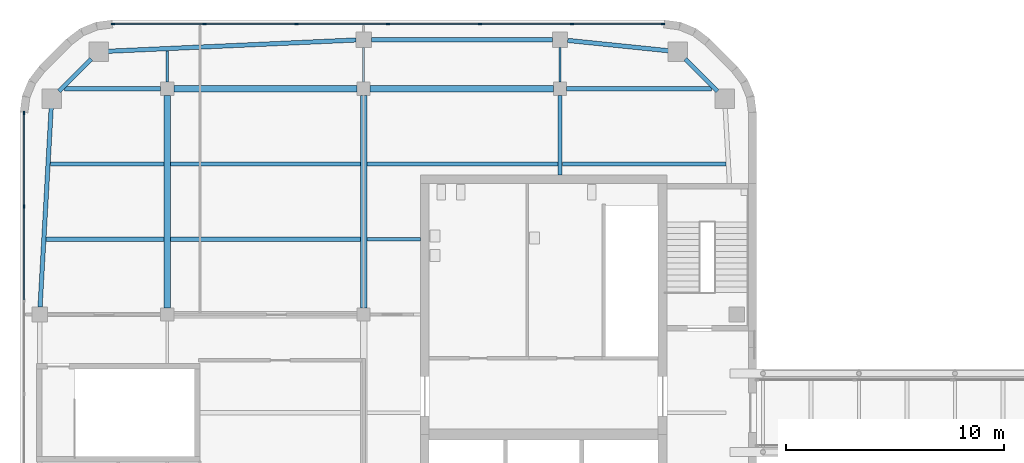
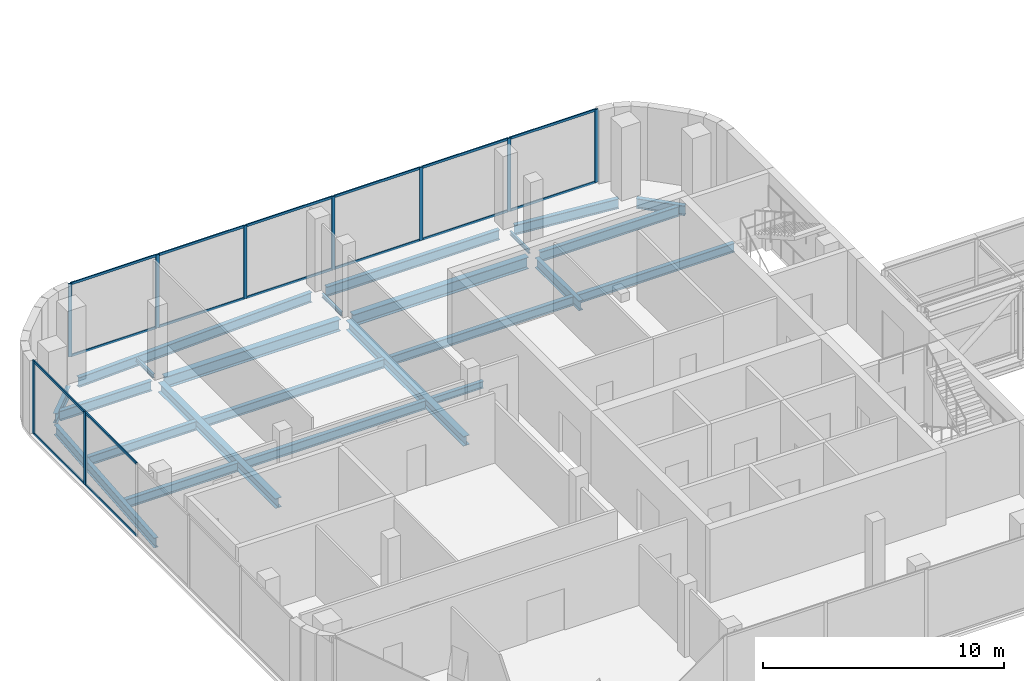
# One storey, part 7 of 21: 25 members, 23 beams, 2 elements without a shape of their own.
"""IFC4 building model written with IfcOpenShell, lengths in metres."""

import ifcopenshell
import ifcopenshell.guid

model = None  # the IFC model being written
_history = None  # IfcOwnerHistory: only IFC2X3 demands one
_inside = {}  # id of a spatial element -> (the spatial element, [elements in it])
_under = {}  # id of a project, library or spatial element -> (it, [spatial elements below it])
_declared = {}  # id of a project -> (the project, [libraries it declares])
_typed = {}  # id of a type object -> (the type object, [elements of that type])
_made_of = {}  # id of a material, layer set ... -> (it, [elements and type objects made of it])


def new_model(schema):
    """Start an empty IFC model of exactly this schema.

    Asked for "IFC4X3", IfcOpenShell would pick the latest addendum, in which some entities
    have other attributes; the version numbers below select the first issue.
    IFC2X3 requires an IfcOwnerHistory on every rooted entity: one is made here for all.
    """
    global model, _history
    if schema == "IFC4X3":
        model = ifcopenshell.file(schema_version=(4, 3, 0, 0))
    else:
        model = ifcopenshell.file(schema=schema)
    _inside.clear()
    _under.clear()
    _declared.clear()
    _typed.clear()
    _made_of.clear()
    _history = None
    if model.schema == "IFC2X3":
        org = make("IfcOrganization", Name="unknown")
        user = make(
            "IfcPersonAndOrganization",
            ThePerson=make("IfcPerson", FamilyName="unknown"),
            TheOrganization=org,
        )
        app = make(
            "IfcApplication",
            ApplicationDeveloper=org,
            Version="unknown",
            ApplicationFullName="unknown",
            ApplicationIdentifier="unknown",
        )
        _history = make(
            "IfcOwnerHistory",
            OwningUser=user,
            OwningApplication=app,
            ChangeAction="ADDED",
            CreationDate=0,
        )
    return model


def make(cls, **values):
    """One entity of the class cls with the attributes given. An attribute that is None is left unset."""
    return model.create_entity(
        cls, **{name: value for name, value in values.items() if value is not None}
    )


def rooted(cls, **values):
    """An entity with a GlobalId (a new one), such as an element, a storey or a relation."""
    return make(cls, GlobalId=ifcopenshell.guid.new(), OwnerHistory=_history, **values)


def si_unit(unit_type, name, prefix=None):
    """IfcSIUnit, for example si_unit("LENGTHUNIT", "METRE", prefix="MILLI")."""
    return make("IfcSIUnit", UnitType=unit_type, Prefix=prefix, Name=name)


def assignment(units):
    """IfcUnitAssignment: the units of a project."""
    return None if units is None else make("IfcUnitAssignment", Units=units)


def point(xyz):
    """IfcCartesianPoint."""
    return None if xyz is None else make("IfcCartesianPoint", Coordinates=xyz)


def direction(xyz):
    """IfcDirection."""
    return None if xyz is None else make("IfcDirection", DirectionRatios=xyz)


def frame(location, z_axis=None, x_axis=None):
    """IfcAxis2Placement3D, a coordinate frame: its origin and axes. An axis left out is left unset."""
    return make(
        "IfcAxis2Placement3D",
        Location=point(location),
        Axis=direction(z_axis),
        RefDirection=direction(x_axis),
    )


def frame_2d(location, x_axis=None):
    """IfcAxis2Placement2D, a coordinate frame in the plane: its origin and x axis."""
    return make(
        "IfcAxis2Placement2D", Location=point(location), RefDirection=direction(x_axis)
    )


def origin():
    """The frame at (0, 0, 0) with its axes left unset."""
    return frame((0.0, 0.0, 0.0))


def origin_2d():
    """The frame at (0, 0) in the plane with its x axis left unset."""
    return frame_2d((0.0, 0.0))


def place(relative_to, where):
    """IfcLocalPlacement: puts the frame where relative to a parent placement (None: the world)."""
    return make(
        "IfcLocalPlacement", PlacementRelTo=relative_to, RelativePlacement=where
    )


def context(
    kind, dimensions, precision=None, world=None, true_north=None, identifier=None
):
    """IfcGeometricRepresentationContext, for example the 3D "Model" context."""
    return make(
        "IfcGeometricRepresentationContext",
        ContextIdentifier=identifier,
        ContextType=kind,
        CoordinateSpaceDimension=dimensions,
        Precision=precision,
        WorldCoordinateSystem=world,
        TrueNorth=true_north,
    )


def subcontext(parent, identifier, kind, view, scale=None):
    """IfcGeometricRepresentationSubContext, for example "Body" below "Model"."""
    return make(
        "IfcGeometricRepresentationSubContext",
        ContextIdentifier=identifier,
        ContextType=kind,
        ParentContext=parent,
        TargetScale=scale,
        TargetView=view,
    )


def project(units=None, contexts=None):
    """IfcProject with its units and contexts."""
    return rooted(
        "IfcProject",
        Name="project",
        RepresentationContexts=contexts,
        UnitsInContext=assignment(units),
    )


def spatial(cls, under=None, at=None, **own):
    """A site, building, storey or space (cls), placed at a placement, below another one or the project."""
    s = rooted(cls, ObjectPlacement=at, **own)
    if under is not None:
        _under.setdefault(under.id(), (under, []))[1].append(s)
    return s


def profile(cls, at=None, kind="AREA", **sizes):
    """A parametric profile (cls). Its sizes go by their IFC names, for example OverallWidth=200.0."""
    return make(cls, ProfileType=kind, Position=at, **sizes)


def rectangle(**sizes):
    """IfcRectangleProfileDef."""
    return profile("IfcRectangleProfileDef", **sizes)


def i_section(**sizes):
    """IfcIShapeProfileDef."""
    return profile("IfcIShapeProfileDef", **sizes)


def extrude(swept, where, along, depth):
    """IfcExtrudedAreaSolid: the profile swept, set in the frame where, extruded along a direction by depth."""
    return make(
        "IfcExtrudedAreaSolid",
        SweptArea=swept,
        Position=where,
        ExtrudedDirection=direction(along),
        Depth=depth,
    )


def shape(context_of_items, identifier, shape_type, items):
    """IfcShapeRepresentation: the items that make up one representation, for example the "Body"."""
    return make(
        "IfcShapeRepresentation",
        ContextOfItems=context_of_items,
        RepresentationIdentifier=identifier,
        RepresentationType=shape_type,
        Items=items,
    )


def material(Name=None, Category=None):
    """IfcMaterial."""
    return make("IfcMaterial", Name=Name, Category=Category)


def material_profile(
    of_material, cross_section, Name=None, Category=None, Priority=None
):
    """IfcMaterialProfile: a cross section and its material."""
    return make(
        "IfcMaterialProfile",
        Name=Name,
        Material=of_material,
        Profile=cross_section,
        Priority=Priority,
        Category=Category,
    )


def profile_set(profiles, Name=None, composite=None):
    """IfcMaterialProfileSet."""
    return make(
        "IfcMaterialProfileSet",
        Name=Name,
        MaterialProfiles=profiles,
        CompositeProfile=composite,
    )


def made_of(thing, what):
    """Note that an element or type object is made of a material, layer set ...; save() writes the relation."""
    if what is not None:
        _made_of.setdefault(what.id(), (what, []))[1].append(thing)
    return thing


def type_object(cls, material=None, **own):
    """A type object (cls), such as IfcWallType, which elements share."""
    return made_of(rooted(cls, **own), material)


def element(
    cls,
    number,
    at=None,
    inside=None,
    cuts=None,
    type_object=None,
    material=None,
    context=None,
    identifier="Body",
    shape_type=None,
    held_by="IfcProductDefinitionShape",
    body=None,
    shapes=None,
    **own,
):
    """One element of the class cls, such as IfcWall. Its Tag is "e" and its number.

    at: its placement. inside: the storey or other place that contains it. cuts: it is an
    opening in that element (IfcRelVoidsElement). A single representation is given by context,
    identifier, shape_type and body (its items); several are given by shapes. held_by: the class
    of the entity that holds the representations. save() writes the other relations.
    """
    e = rooted(cls, Tag="e%d" % number, ObjectPlacement=at, **own)
    if body is not None:
        shapes = [shape(context, identifier, shape_type, body)]
    if shapes is not None:
        e.Representation = make(held_by, Representations=shapes)
    if inside is not None:
        _inside.setdefault(inside.id(), (inside, []))[1].append(e)
    if cuts is not None:
        rooted(
            "IfcRelVoidsElement", RelatingBuildingElement=cuts, RelatedOpeningElement=e
        )
    if type_object is not None:
        _typed.setdefault(type_object.id(), (type_object, []))[1].append(e)
    return made_of(e, material)


def aggregate(whole, parts):
    """IfcRelAggregates: a whole, such as a stair, and the parts it consists of."""
    return rooted("IfcRelAggregates", RelatingObject=whole, RelatedObjects=parts)


def save(model, path):
    """Write the relations noted so far, then the file.

    IfcRelAggregates (storeys below a building ...), IfcRelContainedInSpatialStructure (elements
    in a storey), IfcRelDefinesByType, IfcRelAssociatesMaterial and IfcRelDeclares: one each for
    every whole, place, type object, material and project.
    """
    for whole, parts in _under.values():
        aggregate(whole, parts)
    for where, things in _inside.values():
        rooted(
            "IfcRelContainedInSpatialStructure",
            RelatedElements=things,
            RelatingStructure=where,
        )
    for kind, things in _typed.values():
        rooted("IfcRelDefinesByType", RelatedObjects=things, RelatingType=kind)
    for what, things in _made_of.values():
        rooted("IfcRelAssociatesMaterial", RelatedObjects=things, RelatingMaterial=what)
    for by, libraries in _declared.values():
        rooted("IfcRelDeclares", RelatingContext=by, RelatedDefinitions=libraries)
    model.write(path)


model = new_model("IFC4")

# Units and contexts
model_context = context("Model", 3, precision=1e-05, world=origin(), true_north=direction((0.0, 1.0)))
body_context = subcontext(model_context, "Body", "Model", "MODEL_VIEW")
ifc_project = project(units=[si_unit("LENGTHUNIT", "METRE"), si_unit("AREAUNIT", "SQUARE_METRE"), si_unit("VOLUMEUNIT", "CUBIC_METRE"), si_unit("PLANEANGLEUNIT", "RADIAN"), si_unit("MASSUNIT", "GRAM", prefix="KILO")], contexts=[model_context])

# Site, building, storey
site_placement = place(None, origin())
site = spatial("IfcSite", under=ifc_project, at=site_placement, CompositionType="ELEMENT")
building_placement = place(site_placement, origin())
building = spatial("IfcBuilding", under=site, at=building_placement, Name="Cinnabar Reach Civic Tower", CompositionType="ELEMENT")
storey_placement = place(building_placement, frame((0.0, 0.0, 140.0)))
storey = spatial("IfcBuildingStorey", under=building, at=storey_placement, Name="L33", CompositionType="ELEMENT", Elevation=140.0)

# Beams
ifc_material_1 = material(Name="Steel Q355B", Category="steel")
ifc_material_profile_1 = material_profile(ifc_material_1, i_section(OverallWidth=0.3, OverallDepth=0.488, WebThickness=0.011, FlangeThickness=0.018, FilletRadius=0.016, at=origin_2d()), Name="HM488x300x11x18")
ifc_profile_set_1 = profile_set([ifc_material_profile_1], Name="Steel Q355B")
beam_type_1 = type_object("IfcBeamType", Name="HM488x300x11x18 beam R 120", PredefinedType="BEAM", material=ifc_profile_set_1)
for number, where, z_axis, x_axis, name in (
    (1, (-54.0, 36.302, -0.394), (0.0, 1.0, 0.0), (-1.0, 0.0, 0.0), "Girder T2 L33 4"),
    (2, (-45.0, 36.302, -0.394), (0.0, 1.0, 0.0), (-1.0, 0.0, 0.0), "Girder T2 L33 9"),
):
    element("IfcBeam", number, at=place(storey_placement, frame(where, z_axis=z_axis, x_axis=x_axis)), inside=storey, type_object=beam_type_1, Name=name, PredefinedType="BEAM", context=body_context, shape_type="SweptSolid", body=[
        extrude(i_section(OverallWidth=0.3, OverallDepth=0.488, WebThickness=0.011, FlangeThickness=0.018, FilletRadius=0.016, at=origin_2d()), origin(), (0.0, 0.0, 1.0), 9.746),
    ])
ifc_material_profile_2 = material_profile(ifc_material_1, i_section(OverallWidth=0.3, OverallDepth=0.588, WebThickness=0.012, FlangeThickness=0.02, FilletRadius=0.016, at=origin_2d()), Name="HM588x300x12x20")
ifc_profile_set_2 = profile_set([ifc_material_profile_2], Name="Steel Q355B")
beam_type_2 = type_object("IfcBeamType", Name="HM588x300x12x20 beam R 120", PredefinedType="BEAM", material=ifc_profile_set_2)
for number, where, z_axis, x_axis, name in (
    (3, (-53.698, 46.35, -0.444), (1.0, 0.0, 0.0), (0.0, 1.0, 0.0), "Girder T2 L33 11"),
    (4, (-44.698, 46.35, -0.444), (1.0, 0.0, 0.0), (0.0, 1.0, 0.0), "Girder T2 L33 12"),
):
    element("IfcBeam", number, at=place(storey_placement, frame(where, z_axis=z_axis, x_axis=x_axis)), inside=storey, type_object=beam_type_2, Name=name, PredefinedType="BEAM", context=body_context, shape_type="SweptSolid", body=[
        extrude(i_section(OverallWidth=0.3, OverallDepth=0.588, WebThickness=0.012, FlangeThickness=0.02, FilletRadius=0.016, at=origin_2d()), origin(), (0.0, 0.0, 1.0), 8.396),
    ])
ifc_material_profile_3 = material_profile(ifc_material_1, i_section(OverallWidth=0.099, OverallDepth=0.198, WebThickness=0.0045, FlangeThickness=0.007, FilletRadius=0.013, at=origin_2d()), Name="HN200x100x5.5x8")
ifc_profile_set_3 = profile_set([ifc_material_profile_3], Name="Steel Q355B")
beam_type_3 = type_object("IfcBeamType", Name="HN200x100x5.5x8 beam R 120", PredefinedType="BEAM", material=ifc_profile_set_3)
beam_1_placement = place(storey_placement, frame((-54.0, 46.652, -0.249), z_axis=(0.0, 1.0, 0.0), x_axis=(-1.0, 0.0, 0.0)))
element("IfcBeam", 5, at=beam_1_placement, inside=storey, type_object=beam_type_3, Name="Girder T2 L33 5", PredefinedType="BEAM", context=body_context, shape_type="SweptSolid", body=[
    extrude(i_section(OverallWidth=0.099, OverallDepth=0.198, WebThickness=0.0045, FlangeThickness=0.007, FilletRadius=0.013, at=origin_2d()), origin(), (0.0, 0.0, 1.0), 1.4361),
])
for number, where, z_axis, x_axis, name in (
    (6, (-45.0, 46.652, -0.249), (0.0, 1.0, 0.0), (-1.0, 0.0, 0.0), "Girder T2 L33 10"),
    (7, (-36.0, 46.652, -0.249), (0.0, 1.0, 0.0), (-1.0, 0.0, 0.0), "Girder T2 L33 14"),
):
    element("IfcBeam", number, at=place(storey_placement, frame(where, z_axis=z_axis, x_axis=x_axis)), inside=storey, type_object=beam_type_3, Name=name, PredefinedType="BEAM", context=body_context, shape_type="SweptSolid", body=[
        extrude(i_section(OverallWidth=0.099, OverallDepth=0.198, WebThickness=0.0045, FlangeThickness=0.007, FilletRadius=0.013, at=origin_2d()), origin(), (0.0, 0.0, 1.0), 1.596),
    ])
ifc_material_profile_4 = material_profile(ifc_material_1, i_section(OverallWidth=0.175, OverallDepth=0.35, WebThickness=0.007, FlangeThickness=0.011, FilletRadius=0.013, at=origin_2d()), Name="HN350x175x7x11")
ifc_profile_set_4 = profile_set([ifc_material_profile_4], Name="Steel Q355B")
beam_type_4 = type_object("IfcBeamType", Name="HN350x175x7x11 beam R 120", PredefinedType="BEAM", material=ifc_profile_set_4)
beam_2_placement = place(storey_placement, frame((-44.848, 39.45, -0.325), z_axis=(1.0, 0.0, 0.0), x_axis=(0.0, 1.0, 0.0)))
element("IfcBeam", 8, at=beam_2_placement, inside=storey, type_object=beam_type_4, Name="Secondary beam T2 L33 9", PredefinedType="BEAM", context=body_context, shape_type="SweptSolid", body=[
    extrude(i_section(OverallWidth=0.175, OverallDepth=0.35, WebThickness=0.007, FlangeThickness=0.011, FilletRadius=0.013, at=origin_2d()), origin(), (0.0, 0.0, 1.0), 2.446),
])
ifc_material_profile_5 = material_profile(ifc_material_1, i_section(OverallWidth=0.2, OverallDepth=0.45, WebThickness=0.009, FlangeThickness=0.014, FilletRadius=0.016, at=origin_2d()), Name="HN450x200x9x14")
ifc_profile_set_5 = profile_set([ifc_material_profile_5], Name="Steel Q355B")
beam_type_5 = type_object("IfcBeamType", Name="HN450x200x9x14 beam R 120", PredefinedType="BEAM", material=ifc_profile_set_5)
beam_3_placement = place(storey_placement, frame((-59.5551, 39.45, -0.375), z_axis=(1.0, 0.0, 0.0), x_axis=(0.0, 1.0, 0.0)))
element("IfcBeam", 9, at=beam_3_placement, inside=storey, type_object=beam_type_5, Name="Secondary beam T2 L33 7", PredefinedType="BEAM", context=body_context, shape_type="SweptSolid", body=[
    extrude(i_section(OverallWidth=0.2, OverallDepth=0.45, WebThickness=0.009, FlangeThickness=0.014, FilletRadius=0.016, at=origin_2d()), origin(), (0.0, 0.0, 1.0), 5.4031),
])
beam_4_placement = place(storey_placement, frame((-53.848, 39.45, -0.375), z_axis=(1.0, 0.0, 0.0), x_axis=(0.0, 1.0, 0.0)))
element("IfcBeam", 10, at=beam_4_placement, inside=storey, type_object=beam_type_5, Name="Secondary beam T2 L33 8", PredefinedType="BEAM", context=body_context, shape_type="SweptSolid", body=[
    extrude(i_section(OverallWidth=0.2, OverallDepth=0.45, WebThickness=0.009, FlangeThickness=0.014, FilletRadius=0.016, at=origin_2d()), origin(), (0.0, 0.0, 1.0), 8.696),
])
beam_5_placement = place(storey_placement, frame((-59.3623, 42.9, -0.375), z_axis=(1.0, 0.0, 0.0), x_axis=(0.0, 1.0, 0.0)))
element("IfcBeam", 11, at=beam_5_placement, inside=storey, type_object=beam_type_5, Name="Secondary beam T2 L33 10", PredefinedType="BEAM", context=body_context, shape_type="SweptSolid", body=[
    extrude(i_section(OverallWidth=0.2, OverallDepth=0.45, WebThickness=0.009, FlangeThickness=0.014, FilletRadius=0.016, at=origin_2d()), origin(), (0.0, 0.0, 1.0), 5.2103),
])
beam_6_placement = place(storey_placement, frame((-53.848, 42.9, -0.375), z_axis=(1.0, 0.0, 0.0), x_axis=(0.0, 1.0, 0.0)))
element("IfcBeam", 12, at=beam_6_placement, inside=storey, type_object=beam_type_5, Name="Secondary beam T2 L33 11", PredefinedType="BEAM", context=body_context, shape_type="SweptSolid", body=[
    extrude(i_section(OverallWidth=0.2, OverallDepth=0.45, WebThickness=0.009, FlangeThickness=0.014, FilletRadius=0.016, at=origin_2d()), origin(), (0.0, 0.0, 1.0), 8.696),
])
beam_7_placement = place(storey_placement, frame((-44.848, 42.9, -0.375), z_axis=(1.0, 0.0, 0.0), x_axis=(0.0, 1.0, 0.0)))
element("IfcBeam", 13, at=beam_7_placement, inside=storey, type_object=beam_type_5, Name="Secondary beam T2 L33 12", PredefinedType="BEAM", context=body_context, shape_type="SweptSolid", body=[
    extrude(i_section(OverallWidth=0.2, OverallDepth=0.45, WebThickness=0.009, FlangeThickness=0.014, FilletRadius=0.016, at=origin_2d()), origin(), (0.0, 0.0, 1.0), 8.746),
])
beam_8_placement = place(storey_placement, frame((-35.898, 42.9, -0.375), z_axis=(1.0, 0.0, 0.0), x_axis=(0.0, 1.0, 0.0)))
element("IfcBeam", 14, at=beam_8_placement, inside=storey, type_object=beam_type_5, Name="Secondary beam T2 L33 13", PredefinedType="BEAM", context=body_context, shape_type="SweptSolid", body=[
    extrude(i_section(OverallWidth=0.2, OverallDepth=0.45, WebThickness=0.009, FlangeThickness=0.014, FilletRadius=0.016, at=origin_2d()), origin(), (0.0, 0.0, 1.0), 7.5103),
])
ifc_material_profile_6 = material_profile(ifc_material_1, i_section(OverallWidth=0.2, OverallDepth=0.5, WebThickness=0.01, FlangeThickness=0.016, FilletRadius=0.016, at=origin_2d()), Name="HN500x200x10x16")
ifc_profile_set_6 = profile_set([ifc_material_profile_6], Name="Steel Q355B")
beam_type_6 = type_object("IfcBeamType", Name="HN500x200x10x16 beam R 120", PredefinedType="BEAM", material=ifc_profile_set_6)
beam_9_placement = place(storey_placement, frame((-28.7851, 46.2301, -0.4), z_axis=(-0.707106781187, 0.707106781187, 0.0), x_axis=(-0.707106781187, -0.707106781187, 0.0)))
element("IfcBeam", 15, at=beam_9_placement, inside=storey, type_object=beam_type_6, Name="Edge beam T2 L33 7", PredefinedType="BEAM", context=body_context, shape_type="SweptSolid", body=[
    extrude(i_section(OverallWidth=0.2, OverallDepth=0.5, WebThickness=0.01, FlangeThickness=0.016, FilletRadius=0.016, at=origin_2d()), origin(), (0.0, 0.0, 1.0), 2.0998),
])
beam_10_placement = place(storey_placement, frame((-30.9339, 48.0809, -0.4), z_axis=(-0.994792087401, 0.101924986363, 0.0), x_axis=(-0.101924986363, -0.994792087401, 0.0)))
element("IfcBeam", 16, at=beam_10_placement, inside=storey, type_object=beam_type_6, Name="Edge beam T2 L33 8", PredefinedType="BEAM", context=body_context, shape_type="SweptSolid", body=[
    extrude(i_section(OverallWidth=0.2, OverallDepth=0.5, WebThickness=0.01, FlangeThickness=0.016, FilletRadius=0.016, at=origin_2d()), origin(), (0.0, 0.0, 1.0), 4.7388),
])
beam_11_placement = place(storey_placement, frame((-36.352, 48.6, -0.4), z_axis=(-1.0, 0.0, 0.0), x_axis=(0.0, -1.0, 0.0)))
element("IfcBeam", 17, at=beam_11_placement, inside=storey, type_object=beam_type_6, Name="Edge beam T2 L33 9", PredefinedType="BEAM", context=body_context, shape_type="SweptSolid", body=[
    extrude(i_section(OverallWidth=0.2, OverallDepth=0.5, WebThickness=0.01, FlangeThickness=0.016, FilletRadius=0.016, at=origin_2d()), origin(), (0.0, 0.0, 1.0), 8.296),
])
beam_12_placement = place(storey_placement, frame((-45.352, 48.584, -0.4), z_axis=(-0.998964961738, -0.045486319033, 0.0), x_axis=(0.045486319033, -0.998964961738, 0.0)))
element("IfcBeam", 18, at=beam_12_placement, inside=storey, type_object=beam_type_6, Name="Edge beam T2 L33 10", PredefinedType="BEAM", context=body_context, shape_type="SweptSolid", body=[
    extrude(i_section(OverallWidth=0.2, OverallDepth=0.5, WebThickness=0.01, FlangeThickness=0.016, FilletRadius=0.016, at=origin_2d()), origin(), (0.0, 0.0, 1.0), 11.476),
])
beam_13_placement = place(storey_placement, frame((-57.4801, 47.7149, -0.4), z_axis=(-0.707106781187, -0.707106781187, 0.0), x_axis=(0.707106781187, -0.707106781187, 0.0)))
element("IfcBeam", 19, at=beam_13_placement, inside=storey, type_object=beam_type_6, Name="Edge beam T2 L33 11", PredefinedType="BEAM", context=body_context, shape_type="SweptSolid", body=[
    extrude(i_section(OverallWidth=0.2, OverallDepth=0.5, WebThickness=0.01, FlangeThickness=0.016, FilletRadius=0.016, at=origin_2d()), origin(), (0.0, 0.0, 1.0), 2.0998),
])
beam_14_placement = place(storey_placement, frame((-59.3155, 45.5661, -0.4), z_axis=(-0.055783895065, -0.998442866193, 0.0), x_axis=(0.998442866193, -0.055783895065, 0.0)))
element("IfcBeam", 20, at=beam_14_placement, inside=storey, type_object=beam_type_6, Name="Edge beam T2 L33 12", PredefinedType="BEAM", context=body_context, shape_type="SweptSolid", body=[
    extrude(i_section(OverallWidth=0.2, OverallDepth=0.5, WebThickness=0.01, FlangeThickness=0.016, FilletRadius=0.016, at=origin_2d()), origin(), (0.0, 0.0, 1.0), 9.2285),
])
beam_15_placement = place(storey_placement, frame((-58.7008, 46.35, -0.4), z_axis=(1.0, 0.0, 0.0), x_axis=(0.0, 1.0, 0.0)))
element("IfcBeam", 21, at=beam_15_placement, inside=storey, type_object=beam_type_6, Name="Girder T2 L33 10", PredefinedType="BEAM", context=body_context, shape_type="SweptSolid", body=[
    extrude(i_section(OverallWidth=0.2, OverallDepth=0.5, WebThickness=0.01, FlangeThickness=0.016, FilletRadius=0.016, at=origin_2d()), origin(), (0.0, 0.0, 1.0), 4.3988),
])
beam_16_placement = place(storey_placement, frame((-35.698, 46.35, -0.4), z_axis=(1.0, 0.0, 0.0), x_axis=(0.0, 1.0, 0.0)))
element("IfcBeam", 22, at=beam_16_placement, inside=storey, type_object=beam_type_6, Name="Girder T2 L33 13", PredefinedType="BEAM", context=body_context, shape_type="SweptSolid", body=[
    extrude(i_section(OverallWidth=0.2, OverallDepth=0.5, WebThickness=0.01, FlangeThickness=0.016, FilletRadius=0.016, at=origin_2d()), origin(), (0.0, 0.0, 1.0), 6.6488),
])
beam_17_placement = place(storey_placement, frame((-36.0, 42.402, -0.4), z_axis=(0.0, 1.0, 0.0), x_axis=(-1.0, 0.0, 0.0)))
element("IfcBeam", 23, at=beam_17_placement, inside=storey, type_object=beam_type_6, Name="Girder T2 L33 13", PredefinedType="BEAM", context=body_context, shape_type="SweptSolid", body=[
    extrude(i_section(OverallWidth=0.2, OverallDepth=0.5, WebThickness=0.01, FlangeThickness=0.016, FilletRadius=0.016, at=origin_2d()), origin(), (0.0, 0.0, 1.0), 3.646),
])

# Curtain wall, members
ifc_material_2 = material(Name="Aluminium and clear double glazing", Category="aluminium")
curtain_wall_type = type_object("IfcCurtainWallType", Name="Tower 2 sky lobby and amenity curtain wall", PredefinedType="NOTDEFINED", material=ifc_material_2)
curtain_wall_1_placement = place(storey_placement, origin())
curtain_wall_1 = element("IfcCurtainWall", 24, at=curtain_wall_1_placement, inside=storey, type_object=curtain_wall_type, Name="Tower 2 sky lobby and amenity 6", PredefinedType="NOTDEFINED")
ifc_material_3 = material(Name="Aluminium", Category="aluminium")
ifc_material_profile_7 = material_profile(ifc_material_3, rectangle(XDim=0.06, YDim=0.16, at=origin_2d()), Name="Tower 2 sky lobby and amenity mullion")
ifc_profile_set_7 = profile_set([ifc_material_profile_7], Name="Aluminium")
member_type_1 = type_object("IfcMemberType", Name="Tower 2 sky lobby and amenity mullion", PredefinedType="MULLION", material=ifc_profile_set_7)
member_1_placement = place(storey_placement, frame((-31.2726, 49.32, 0.0), z_axis=(0.0, 0.0, 1.0), x_axis=(0.0, -1.0, 0.0)))
member_1 = element("IfcMember", 25, at=member_1_placement, type_object=member_type_1, Name="CW-T2SKY-6 mullion 1", PredefinedType="MULLION", context=body_context, shape_type="SweptSolid", body=[
    extrude(rectangle(XDim=0.06, YDim=0.16, at=origin_2d()), origin(), (0.0, 0.0, 1.0), 3.7),
])
member_2_placement = place(storey_placement, frame((-35.4534, 49.32, 0.0), z_axis=(0.0, 0.0, 1.0), x_axis=(0.0, -1.0, 0.0)))
member_2 = element("IfcMember", 26, at=member_2_placement, type_object=member_type_1, Name="CW-T2SKY-6 mullion 2", PredefinedType="MULLION", context=body_context, shape_type="SweptSolid", body=[
    extrude(rectangle(XDim=0.06, YDim=0.16, at=origin_2d()), origin(), (0.0, 0.0, 1.0), 3.7),
])
member_3_placement = place(storey_placement, frame((-39.6642, 49.32, 0.0), z_axis=(0.0, 0.0, 1.0), x_axis=(0.0, -1.0, 0.0)))
member_3 = element("IfcMember", 27, at=member_3_placement, type_object=member_type_1, Name="CW-T2SKY-6 mullion 3", PredefinedType="MULLION", context=body_context, shape_type="SweptSolid", body=[
    extrude(rectangle(XDim=0.06, YDim=0.16, at=origin_2d()), origin(), (0.0, 0.0, 1.0), 3.7),
])
member_4_placement = place(storey_placement, frame((-43.875, 49.32, 0.0), z_axis=(0.0, 0.0, 1.0), x_axis=(0.0, -1.0, 0.0)))
member_4 = element("IfcMember", 28, at=member_4_placement, type_object=member_type_1, Name="CW-T2SKY-6 mullion 4", PredefinedType="MULLION", context=body_context, shape_type="SweptSolid", body=[
    extrude(rectangle(XDim=0.06, YDim=0.16, at=origin_2d()), origin(), (0.0, 0.0, 1.0), 3.7),
])
member_5_placement = place(storey_placement, frame((-48.0858, 49.32, 0.0), z_axis=(0.0, 0.0, 1.0), x_axis=(0.0, -1.0, 0.0)))
member_5 = element("IfcMember", 29, at=member_5_placement, type_object=member_type_1, Name="CW-T2SKY-6 mullion 5", PredefinedType="MULLION", context=body_context, shape_type="SweptSolid", body=[
    extrude(rectangle(XDim=0.06, YDim=0.16, at=origin_2d()), origin(), (0.0, 0.0, 1.0), 3.7),
])
member_6_placement = place(storey_placement, frame((-52.2966, 49.32, 0.0), z_axis=(0.0, 0.0, 1.0), x_axis=(0.0, -1.0, 0.0)))
member_6 = element("IfcMember", 30, at=member_6_placement, type_object=member_type_1, Name="CW-T2SKY-6 mullion 6", PredefinedType="MULLION", context=body_context, shape_type="SweptSolid", body=[
    extrude(rectangle(XDim=0.06, YDim=0.16, at=origin_2d()), origin(), (0.0, 0.0, 1.0), 3.7),
])
member_7_placement = place(storey_placement, frame((-56.4774, 49.32, 0.0), z_axis=(0.0, 0.0, 1.0), x_axis=(0.0, -1.0, 0.0)))
member_7 = element("IfcMember", 31, at=member_7_placement, type_object=member_type_1, Name="CW-T2SKY-6 mullion 7", PredefinedType="MULLION", context=body_context, shape_type="SweptSolid", body=[
    extrude(rectangle(XDim=0.06, YDim=0.16, at=origin_2d()), origin(), (0.0, 0.0, 1.0), 3.7),
])

curtain_wall_2_placement = place(storey_placement, origin())
curtain_wall_2 = element("IfcCurtainWall", 32, at=curtain_wall_2_placement, inside=storey, type_object=curtain_wall_type, Name="Tower 2 sky lobby and amenity 7", PredefinedType="NOTDEFINED")
member_8_placement = place(storey_placement, frame((-60.57, 45.2274, 0.0), z_axis=(0.0, 0.0, 1.0), x_axis=(1.0, 0.0, 0.0)))
member_8 = element("IfcMember", 33, at=member_8_placement, type_object=member_type_1, Name="CW-T2SKY-7 mullion 1", PredefinedType="MULLION", context=body_context, shape_type="SweptSolid", body=[
    extrude(rectangle(XDim=0.06, YDim=0.16, at=origin_2d()), origin(), (0.0, 0.0, 1.0), 3.7),
])
member_9_placement = place(storey_placement, frame((-60.57, 40.9544, 0.0), z_axis=(0.0, 0.0, 1.0), x_axis=(1.0, 0.0, 0.0)))
member_9 = element("IfcMember", 34, at=member_9_placement, type_object=member_type_1, Name="CW-T2SKY-7 mullion 2", PredefinedType="MULLION", context=body_context, shape_type="SweptSolid", body=[
    extrude(rectangle(XDim=0.06, YDim=0.16, at=origin_2d()), origin(), (0.0, 0.0, 1.0), 3.7),
])

# Member
ifc_material_profile_8 = material_profile(ifc_material_3, rectangle(XDim=0.06, YDim=0.12, at=origin_2d()), Name="Tower 2 sky lobby and amenity transom")
ifc_profile_set_8 = profile_set([ifc_material_profile_8], Name="Aluminium")
member_type_2 = type_object("IfcMemberType", Name="Tower 2 sky lobby and amenity transom", PredefinedType="USERDEFINED", material=ifc_profile_set_8)
member_10_placement = place(storey_placement, frame((-31.3026, 49.32, 0.03), z_axis=(-1.0, 0.0, 0.0), x_axis=(0.0, -1.0, 0.0)))
member_10 = element("IfcMember", 35, at=member_10_placement, type_object=member_type_2, Name="CW-T2SKY-6 transom 1.1", ObjectType="TRANSOM", PredefinedType="USERDEFINED", context=body_context, shape_type="SweptSolid", body=[
    extrude(rectangle(XDim=0.06, YDim=0.12, at=origin_2d()), origin(), (0.0, 0.0, 1.0), 4.1208),
])

member_11_placement = place(storey_placement, frame((-31.3026, 49.32, 3.67), z_axis=(-1.0, 0.0, 0.0), x_axis=(0.0, -1.0, 0.0)))
member_11 = element("IfcMember", 36, at=member_11_placement, type_object=member_type_2, Name="CW-T2SKY-6 transom 1.2", ObjectType="TRANSOM", PredefinedType="USERDEFINED", context=body_context, shape_type="SweptSolid", body=[
    extrude(rectangle(XDim=0.06, YDim=0.12, at=origin_2d()), origin(), (0.0, 0.0, 1.0), 4.1208),
])

member_12_placement = place(storey_placement, frame((-35.4834, 49.32, 0.03), z_axis=(-1.0, 0.0, 0.0), x_axis=(0.0, -1.0, 0.0)))
member_12 = element("IfcMember", 37, at=member_12_placement, type_object=member_type_2, Name="CW-T2SKY-6 transom 2.1", ObjectType="TRANSOM", PredefinedType="USERDEFINED", context=body_context, shape_type="SweptSolid", body=[
    extrude(rectangle(XDim=0.06, YDim=0.12, at=origin_2d()), origin(), (0.0, 0.0, 1.0), 4.1508),
])

member_13_placement = place(storey_placement, frame((-35.4834, 49.32, 3.67), z_axis=(-1.0, 0.0, 0.0), x_axis=(0.0, -1.0, 0.0)))
member_13 = element("IfcMember", 38, at=member_13_placement, type_object=member_type_2, Name="CW-T2SKY-6 transom 2.2", ObjectType="TRANSOM", PredefinedType="USERDEFINED", context=body_context, shape_type="SweptSolid", body=[
    extrude(rectangle(XDim=0.06, YDim=0.12, at=origin_2d()), origin(), (0.0, 0.0, 1.0), 4.1508),
])

member_14_placement = place(storey_placement, frame((-39.6942, 49.32, 0.03), z_axis=(-1.0, 0.0, 0.0), x_axis=(0.0, -1.0, 0.0)))
member_14 = element("IfcMember", 39, at=member_14_placement, type_object=member_type_2, Name="CW-T2SKY-6 transom 3.1", ObjectType="TRANSOM", PredefinedType="USERDEFINED", context=body_context, shape_type="SweptSolid", body=[
    extrude(rectangle(XDim=0.06, YDim=0.12, at=origin_2d()), origin(), (0.0, 0.0, 1.0), 4.1508),
])

member_15_placement = place(storey_placement, frame((-39.6942, 49.32, 3.67), z_axis=(-1.0, 0.0, 0.0), x_axis=(0.0, -1.0, 0.0)))
member_15 = element("IfcMember", 40, at=member_15_placement, type_object=member_type_2, Name="CW-T2SKY-6 transom 3.2", ObjectType="TRANSOM", PredefinedType="USERDEFINED", context=body_context, shape_type="SweptSolid", body=[
    extrude(rectangle(XDim=0.06, YDim=0.12, at=origin_2d()), origin(), (0.0, 0.0, 1.0), 4.1508),
])

member_16_placement = place(storey_placement, frame((-43.905, 49.32, 0.03), z_axis=(-1.0, 0.0, 0.0), x_axis=(0.0, -1.0, 0.0)))
member_16 = element("IfcMember", 41, at=member_16_placement, type_object=member_type_2, Name="CW-T2SKY-6 transom 4.1", ObjectType="TRANSOM", PredefinedType="USERDEFINED", context=body_context, shape_type="SweptSolid", body=[
    extrude(rectangle(XDim=0.06, YDim=0.12, at=origin_2d()), origin(), (0.0, 0.0, 1.0), 4.1508),
])

member_17_placement = place(storey_placement, frame((-43.905, 49.32, 3.67), z_axis=(-1.0, 0.0, 0.0), x_axis=(0.0, -1.0, 0.0)))
member_17 = element("IfcMember", 42, at=member_17_placement, type_object=member_type_2, Name="CW-T2SKY-6 transom 4.2", ObjectType="TRANSOM", PredefinedType="USERDEFINED", context=body_context, shape_type="SweptSolid", body=[
    extrude(rectangle(XDim=0.06, YDim=0.12, at=origin_2d()), origin(), (0.0, 0.0, 1.0), 4.1508),
])

member_18_placement = place(storey_placement, frame((-48.1158, 49.32, 0.03), z_axis=(-1.0, 0.0, 0.0), x_axis=(0.0, -1.0, 0.0)))
member_18 = element("IfcMember", 43, at=member_18_placement, type_object=member_type_2, Name="CW-T2SKY-6 transom 5.1", ObjectType="TRANSOM", PredefinedType="USERDEFINED", context=body_context, shape_type="SweptSolid", body=[
    extrude(rectangle(XDim=0.06, YDim=0.12, at=origin_2d()), origin(), (0.0, 0.0, 1.0), 4.1508),
])

member_19_placement = place(storey_placement, frame((-48.1158, 49.32, 3.67), z_axis=(-1.0, 0.0, 0.0), x_axis=(0.0, -1.0, 0.0)))
member_19 = element("IfcMember", 44, at=member_19_placement, type_object=member_type_2, Name="CW-T2SKY-6 transom 5.2", ObjectType="TRANSOM", PredefinedType="USERDEFINED", context=body_context, shape_type="SweptSolid", body=[
    extrude(rectangle(XDim=0.06, YDim=0.12, at=origin_2d()), origin(), (0.0, 0.0, 1.0), 4.1508),
])

member_20_placement = place(storey_placement, frame((-52.3266, 49.32, 0.03), z_axis=(-1.0, 0.0, 0.0), x_axis=(0.0, -1.0, 0.0)))
member_20 = element("IfcMember", 45, at=member_20_placement, type_object=member_type_2, Name="CW-T2SKY-6 transom 6.1", ObjectType="TRANSOM", PredefinedType="USERDEFINED", context=body_context, shape_type="SweptSolid", body=[
    extrude(rectangle(XDim=0.06, YDim=0.12, at=origin_2d()), origin(), (0.0, 0.0, 1.0), 4.1208),
])

member_21_placement = place(storey_placement, frame((-52.3266, 49.32, 3.67), z_axis=(-1.0, 0.0, 0.0), x_axis=(0.0, -1.0, 0.0)))
member_21 = element("IfcMember", 46, at=member_21_placement, type_object=member_type_2, Name="CW-T2SKY-6 transom 6.2", ObjectType="TRANSOM", PredefinedType="USERDEFINED", context=body_context, shape_type="SweptSolid", body=[
    extrude(rectangle(XDim=0.06, YDim=0.12, at=origin_2d()), origin(), (0.0, 0.0, 1.0), 4.1208),
])

aggregate(curtain_wall_1, [member_1, member_2, member_3, member_4, member_5, member_6, member_7, member_10, member_11, member_12, member_13, member_14, member_15, member_16, member_17, member_18, member_19, member_20, member_21])

member_22_placement = place(storey_placement, frame((-60.57, 45.1974, 0.03), z_axis=(0.0, -1.0, 0.0), x_axis=(1.0, 0.0, 0.0)))
member_22 = element("IfcMember", 47, at=member_22_placement, type_object=member_type_2, Name="CW-T2SKY-7 transom 1.1", ObjectType="TRANSOM", PredefinedType="USERDEFINED", context=body_context, shape_type="SweptSolid", body=[
    extrude(rectangle(XDim=0.06, YDim=0.12, at=origin_2d()), origin(), (0.0, 0.0, 1.0), 4.213),
])

member_23_placement = place(storey_placement, frame((-60.57, 45.1974, 3.67), z_axis=(0.0, -1.0, 0.0), x_axis=(1.0, 0.0, 0.0)))
member_23 = element("IfcMember", 48, at=member_23_placement, type_object=member_type_2, Name="CW-T2SKY-7 transom 1.2", ObjectType="TRANSOM", PredefinedType="USERDEFINED", context=body_context, shape_type="SweptSolid", body=[
    extrude(rectangle(XDim=0.06, YDim=0.12, at=origin_2d()), origin(), (0.0, 0.0, 1.0), 4.213),
])

member_24_placement = place(storey_placement, frame((-60.57, 40.9244, 0.03), z_axis=(0.0, -1.0, 0.0), x_axis=(1.0, 0.0, 0.0)))
member_24 = element("IfcMember", 49, at=member_24_placement, type_object=member_type_2, Name="CW-T2SKY-7 transom 2.1", ObjectType="TRANSOM", PredefinedType="USERDEFINED", context=body_context, shape_type="SweptSolid", body=[
    extrude(rectangle(XDim=0.06, YDim=0.12, at=origin_2d()), origin(), (0.0, 0.0, 1.0), 4.2429),
])

member_25_placement = place(storey_placement, frame((-60.57, 40.9244, 3.67), z_axis=(0.0, -1.0, 0.0), x_axis=(1.0, 0.0, 0.0)))
member_25 = element("IfcMember", 50, at=member_25_placement, type_object=member_type_2, Name="CW-T2SKY-7 transom 2.2", ObjectType="TRANSOM", PredefinedType="USERDEFINED", context=body_context, shape_type="SweptSolid", body=[
    extrude(rectangle(XDim=0.06, YDim=0.12, at=origin_2d()), origin(), (0.0, 0.0, 1.0), 4.2429),
])

aggregate(curtain_wall_2, [member_8, member_9, member_22, member_23, member_24, member_25])

save(model, "model.ifc")
